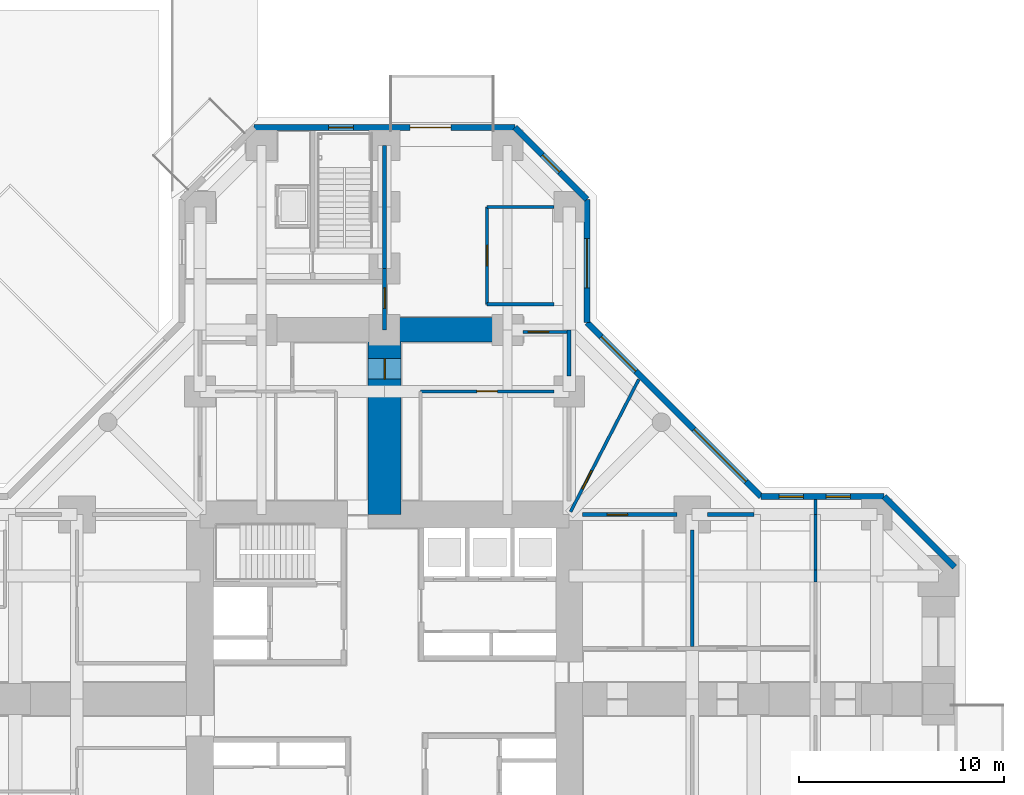
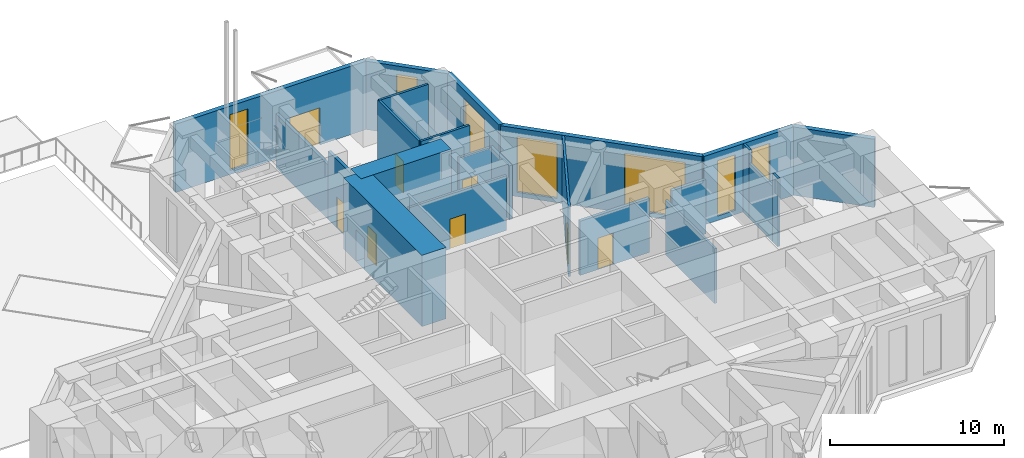
# One storey, part 10 of 14: 23 walls, 8 doors, 7 windows, 15 openings.
"""IFC4 building model written with IfcOpenShell, lengths in metres."""

from ifc_helpers import new_model, si_unit, direction, frame, frame_2d, origin, place, context, subcontext, project, spatial, rectangle, hollow_rectangle, extrude, material, layer, layer_set, constituent, constituent_set, type_object, element, fill, save


model = new_model("IFC4")

# Units and contexts
model_context = context("Model", 3, precision=1e-05, world=origin(), true_north=direction((0.0, 1.0)))
body_context = subcontext(model_context, "Body", "Model", "MODEL_VIEW")
ifc_project = project(units=[si_unit("LENGTHUNIT", "METRE"), si_unit("AREAUNIT", "SQUARE_METRE"), si_unit("VOLUMEUNIT", "CUBIC_METRE"), si_unit("PLANEANGLEUNIT", "RADIAN"), si_unit("MASSUNIT", "GRAM", prefix="KILO")], contexts=[model_context])

# Site, building, storey
site_placement = place(None, origin())
site = spatial("IfcSite", under=ifc_project, at=site_placement, CompositionType="ELEMENT")
building_placement = place(site_placement, origin())
building = spatial("IfcBuilding", under=site, at=building_placement, Name="Torre Cruceta", CompositionType="ELEMENT")
storey_placement = place(building_placement, origin())
storey = spatial("IfcBuildingStorey", under=building, at=storey_placement, Name="L00", CompositionType="ELEMENT", Elevation=0.0)

# Wall, opening, door
ifc_material_1 = material(Name="Concrete G25 (fck 25 MPa)", Category="concrete")
ifc_layer_1 = layer(ifc_material_1, 0.199951171875)
ifc_layer_set_1 = layer_set([ifc_layer_1], Name="Concrete G25 (fck 25 MPa)")
wall_type_1 = type_object("IfcWallType", Name="CORRIDOR WALL 200", PredefinedType="SOLIDWALL", material=ifc_layer_set_1)
wall_1_placement = place(storey_placement, frame((0.0, 18.0, 0.0), z_axis=(0.0, 0.0, 1.0), x_axis=(0.0, 1.0, 0.0)))
wall_1 = element("IfcWall", 1, at=wall_1_placement, inside=storey, type_object=wall_type_1, Name="PT3 spine line L00 N", PredefinedType="SOLIDWALL", context=body_context, shape_type="SweptSolid", body=[
    extrude(rectangle(XDim=3.0, YDim=0.199951171875, at=frame_2d((1.5, 0.0))), origin(), (0.0, 0.0, 1.0), 4.800048828125),
])
opening_1_placement = place(wall_1_placement, frame((1.050048828125, 0.0, 0.0)))
opening_1 = element("IfcOpeningElement", 2, at=opening_1_placement, cuts=wall_1, Name="Opening D14", PredefinedType="OPENING", context=body_context, shape_type="SweptSolid", body=[
    extrude(rectangle(XDim=1.0, YDim=2.199951171875, at=frame_2d((0.5, 1.10009765625))), frame((0.0, 0.10986328125, 0.0), z_axis=(0.0, -1.0, 0.0), x_axis=(1.0, 0.0, 0.0)), (0.0, 0.0, 1.0), 0.219970703125),
])
ifc_material_2 = material(Name="Steel DX51D", Category="steel")
ifc_constituent_1 = constituent(ifc_material_2, Name="Leaf and frame")
ifc_material_3 = material(Name="Polyester powder coating", Category="paint")
ifc_constituent_2 = constituent(ifc_material_3, Name="Finish")
ifc_material_4 = material(Name="Fire-resisting glass", Category="glass")
ifc_constituent_3 = constituent(ifc_material_4, Name="Vision panel")
ifc_constituent_set_1 = constituent_set(constituents=[ifc_constituent_1, ifc_constituent_2, ifc_constituent_3], Name="Steel fire door with vision panel")
door_type_1 = type_object("IfcDoorType", Name="FIRE DOOR VISION PANEL 1000X2200", OperationType="SINGLE_SWING_RIGHT", PredefinedType="DOOR", material=ifc_constituent_set_1)
door_1_placement = place(opening_1_placement, origin())
door_1 = element("IfcDoor", 3, at=door_1_placement, inside=storey, type_object=door_type_1, Name="D14 L00-N-SP2", OperationType="SINGLE_SWING_RIGHT", OverallHeight=2.199951171875, OverallWidth=1.0, PredefinedType="DOOR", context=body_context, shape_type="SweptSolid", body=[
    extrude(rectangle(XDim=1.0, YDim=2.199951171875, at=frame_2d((0.5, 1.10009765625))), frame((0.0, 0.02490234375, 0.0), z_axis=(0.0, -1.0, 0.0), x_axis=(1.0, 0.0, 0.0)), (0.0, 0.0, 1.0), 0.050048828125),
])
fill(opening_1, door_1)

# Walls
wall_2_placement = place(storey_placement, frame((0.0, 21.0, 0.0), z_axis=(0.0, 0.0, 1.0), x_axis=(0.0, 1.0, 0.0)))
element("IfcWall", 4, at=wall_2_placement, inside=storey, type_object=wall_type_1, Name="PT3 spine line L00 N 2", PredefinedType="SOLIDWALL", context=body_context, shape_type="SweptSolid", body=[
    extrude(rectangle(XDim=6.0, YDim=0.199951171875, at=frame_2d((3.0, 0.0))), origin(), (0.0, 0.0, 1.0), 3.800048828125),
])
ifc_material_5 = material(Name="Concrete G60 (fck 60 MPa)", Category="concrete")
ifc_layer_2 = layer(ifc_material_5, 1.199951171875)
ifc_layer_set_2 = layer_set([ifc_layer_2], Name="Concrete G60 (fck 60 MPa)")
wall_type_2 = type_object("IfcWallType", Name="CROSS WALL 1200 G60", PredefinedType="SHEAR", material=ifc_layer_set_2)
wall_3_placement = place(storey_placement, frame((0.0, 18.0, 0.0), z_axis=(0.0, 0.0, 1.0), x_axis=(1.0, 0.0, 0.0)))
element("IfcWall", 5, at=wall_3_placement, inside=storey, type_object=wall_type_2, Name="XW1 cross wall L00 N R", PredefinedType="SHEAR", context=body_context, shape_type="SweptSolid", body=[
    extrude(rectangle(XDim=6.0, YDim=1.199951171875, at=frame_2d((3.0, 0.0))), origin(), (0.0, 0.0, 1.0), 5.0),
])
ifc_material_6 = material(Name="Concrete G30 (fck 30 MPa)", Category="concrete")
ifc_layer_3 = layer(ifc_material_6, 0.300048828125)
ifc_layer_set_3 = layer_set([ifc_layer_3], Name="Concrete G30 (fck 30 MPa)")
wall_type_3 = type_object("IfcWallType", Name="EXPOSED CONCRETE FACADE WALL 300", PredefinedType="SOLIDWALL", material=ifc_layer_set_3)
wall_4_placement = place(storey_placement, frame((27.800048828125, 6.430419921875, 0.0), z_axis=(0.0, 0.0, 1.0), x_axis=(-0.707106781187, 0.707106781187, 0.0)))
element("IfcWall", 6, at=wall_4_placement, inside=storey, type_object=wall_type_3, Name="EW1 facade wall L00 E chamfer 03", PredefinedType="SOLIDWALL", context=body_context, shape_type="SweptSolid", body=[
    extrude(rectangle(XDim=4.864501953125, YDim=0.300048828125, at=frame_2d((2.43212890625, 0.0))), origin(), (0.0, 0.0, 1.0), 4.800048828125),
])

# Wall, openings, windows
wall_5_placement = place(storey_placement, frame((24.3603515625, 9.8701171875, 0.0), z_axis=(0.0, 0.0, 1.0), x_axis=(-1.0, 0.0, 0.0)))
wall_5 = element("IfcWall", 7, at=wall_5_placement, inside=storey, type_object=wall_type_3, Name="EW1 facade wall L00 E side 04", PredefinedType="SOLIDWALL", context=body_context, shape_type="SweptSolid", body=[
    extrude(rectangle(XDim=6.0, YDim=0.300048828125, at=frame_2d((3.0, 0.0))), origin(), (0.0, 0.0, 1.0), 4.800048828125),
])
opening_2_placement = place(wall_5_placement, frame((1.635498046875, 0.0, 0.300048828125)))
opening_2 = element("IfcOpeningElement", 8, at=opening_2_placement, cuts=wall_5, Name="Opening SF3", PredefinedType="OPENING", context=body_context, shape_type="SweptSolid", body=[
    extrude(rectangle(XDim=1.199951171875, YDim=3.89990234375, at=frame_2d((0.60009765625, 1.949951171875))), frame((0.0, 0.159912109375, 0.0), z_axis=(0.0, -1.0, 0.0), x_axis=(1.0, 0.0, 0.0)), (0.0, 0.0, 1.0), 0.320068359375),
])
opening_3_placement = place(wall_5_placement, frame((3.93017578125, 0.0, 0.300048828125)))
opening_3 = element("IfcOpeningElement", 9, at=opening_3_placement, cuts=wall_5, Name="Opening SF3", PredefinedType="OPENING", context=body_context, shape_type="SweptSolid", body=[
    extrude(rectangle(XDim=1.199951171875, YDim=3.89990234375, at=frame_2d((0.60009765625, 1.949951171875))), frame((0.0, 0.159912109375, 0.0), z_axis=(0.0, -1.0, 0.0), x_axis=(1.0, 0.0, 0.0)), (0.0, 0.0, 1.0), 0.320068359375),
])
ifc_material_7 = material(Name="Aluminium window frame", Category="aluminium")
ifc_constituent_4 = constituent(ifc_material_7, Name="Frame")
ifc_material_8 = material(Name="Laminated insulating glass unit, low-iron clear", Category="glass")
ifc_constituent_5 = constituent(ifc_material_8, Name="Glazing")
ifc_constituent_set_2 = constituent_set(constituents=[ifc_constituent_4, ifc_constituent_5], Name="Aluminium window")
window_type_1 = type_object("IfcWindowType", Name="SHOPFRONT WINDOW 1200X3900", PartitioningType="SINGLE_PANEL", PredefinedType="WINDOW", material=ifc_constituent_set_2)
window_1_placement = place(opening_2_placement, origin())
window_1 = element("IfcWindow", 10, at=window_1_placement, inside=storey, type_object=window_type_1, Name="SF3 L00 E 1", OverallHeight=3.89990234375, OverallWidth=1.199951171875, PartitioningType="SINGLE_PANEL", PredefinedType="WINDOW", context=body_context, shape_type="SweptSolid", body=[
    extrude(hollow_rectangle(XDim=1.199951171875, YDim=3.89990234375, WallThickness=0.06005859375, at=frame_2d((0.60009765625, 1.949951171875))), frame((0.0, 0.030029296875, 0.0), z_axis=(0.0, -1.0, 0.0), x_axis=(1.0, 0.0, 0.0)), (0.0, 0.0, 1.0), 0.06005859375),
    extrude(rectangle(XDim=1.078857421875, YDim=3.77880859375, at=frame_2d((0.60009765625, 1.949951171875))), frame((0.0, 0.030029296875, 0.0), z_axis=(0.0, -1.0, 0.0), x_axis=(1.0, 0.0, 0.0)), (0.0, 0.0, 1.0), 0.06005859375),
])
fill(opening_2, window_1)
window_2_placement = place(opening_3_placement, origin())
window_2 = element("IfcWindow", 11, at=window_2_placement, inside=storey, type_object=window_type_1, Name="SF3 L00 E 2", OverallHeight=3.89990234375, OverallWidth=1.199951171875, PartitioningType="SINGLE_PANEL", PredefinedType="WINDOW", context=body_context, shape_type="SweptSolid", body=[
    extrude(hollow_rectangle(XDim=1.199951171875, YDim=3.89990234375, WallThickness=0.06005859375, at=frame_2d((0.60009765625, 1.949951171875))), frame((0.0, 0.030029296875, 0.0), z_axis=(0.0, -1.0, 0.0), x_axis=(1.0, 0.0, 0.0)), (0.0, 0.0, 1.0), 0.06005859375),
    extrude(rectangle(XDim=1.078857421875, YDim=3.77880859375, at=frame_2d((0.60009765625, 1.949951171875))), frame((0.0, 0.030029296875, 0.0), z_axis=(0.0, -1.0, 0.0), x_axis=(1.0, 0.0, 0.0)), (0.0, 0.0, 1.0), 0.06005859375),
])
fill(opening_3, window_2)

wall_6_placement = place(storey_placement, frame((18.3603515625, 9.8701171875, 0.0), z_axis=(0.0, 0.0, 1.0), x_axis=(-0.707106781187, 0.707106781187, 0.0)))
wall_6 = element("IfcWall", 12, at=wall_6_placement, inside=storey, type_object=wall_type_3, Name="EW1 facade wall L00 E wing 05", PredefinedType="SOLIDWALL", context=body_context, shape_type="SweptSolid", body=[
    extrude(rectangle(XDim=12.007080078125, YDim=0.300048828125, at=frame_2d((6.00341796875, 0.0))), origin(), (0.0, 0.0, 1.0), 4.800048828125),
])
opening_4_placement = place(wall_6_placement, frame((1.03369140625, 0.0, 0.300048828125)))
opening_4 = element("IfcOpeningElement", 13, at=opening_4_placement, cuts=wall_6, Name="Opening SF1", PredefinedType="OPENING", context=body_context, shape_type="SweptSolid", body=[
    extrude(rectangle(XDim=3.60009765625, YDim=3.89990234375, at=frame_2d((1.800048828125, 1.949951171875))), frame((0.0, 0.159912109375, 0.0), z_axis=(0.0, -1.0, 0.0), x_axis=(1.0, 0.0, 0.0)), (0.0, 0.0, 1.0), 0.320068359375),
])
opening_5_placement = place(wall_6_placement, frame((8.63720703125, 0.0, 0.300048828125)))
opening_5 = element("IfcOpeningElement", 14, at=opening_5_placement, cuts=wall_6, Name="Opening SF2", PredefinedType="OPENING", context=body_context, shape_type="SweptSolid", body=[
    extrude(rectangle(XDim=2.39990234375, YDim=3.89990234375, at=frame_2d((1.199951171875, 1.949951171875))), frame((0.0, 0.159912109375, 0.0), z_axis=(0.0, -1.0, 0.0), x_axis=(1.0, 0.0, 0.0)), (0.0, 0.0, 1.0), 0.320068359375),
])
ifc_material_9 = material(Name="Aluminium window frame", Category="aluminium")
ifc_constituent_6 = constituent(ifc_material_9, Name="Frame")
ifc_material_10 = material(Name="Laminated insulating glass unit, low-iron clear", Category="glass")
ifc_constituent_7 = constituent(ifc_material_10, Name="Glazing")
ifc_constituent_set_3 = constituent_set(constituents=[ifc_constituent_6, ifc_constituent_7], Name="Aluminium window")
window_type_2 = type_object("IfcWindowType", Name="SHOPFRONT WINDOW 2400X3900", PartitioningType="SINGLE_PANEL", PredefinedType="WINDOW", material=ifc_constituent_set_3)
window_3_placement = place(opening_5_placement, origin())
window_3 = element("IfcWindow", 15, at=window_3_placement, inside=storey, type_object=window_type_2, Name="SF2 L00 E 2", OverallHeight=3.89990234375, OverallWidth=2.39990234375, PartitioningType="SINGLE_PANEL", PredefinedType="WINDOW", context=body_context, shape_type="SweptSolid", body=[
    extrude(hollow_rectangle(XDim=2.39990234375, YDim=3.89990234375, WallThickness=0.06005859375, at=frame_2d((1.199951171875, 1.949951171875))), frame((0.0, 0.030029296875, 0.0), z_axis=(0.0, -1.0, 0.0), x_axis=(1.0, 0.0, 0.0)), (0.0, 0.0, 1.0), 0.06005859375),
    extrude(rectangle(XDim=2.27880859375, YDim=3.77880859375, at=frame_2d((1.199951171875, 1.949951171875))), frame((0.0, 0.030029296875, 0.0), z_axis=(0.0, -1.0, 0.0), x_axis=(1.0, 0.0, 0.0)), (0.0, 0.0, 1.0), 0.06005859375),
])
fill(opening_5, window_3)
ifc_material_11 = material(Name="Aluminium window frame", Category="aluminium")
ifc_constituent_8 = constituent(ifc_material_11, Name="Frame")
ifc_material_12 = material(Name="Laminated insulating glass unit, low-iron clear", Category="glass")
ifc_constituent_9 = constituent(ifc_material_12, Name="Glazing")
ifc_constituent_set_4 = constituent_set(constituents=[ifc_constituent_8, ifc_constituent_9], Name="Aluminium window")
window_type_3 = type_object("IfcWindowType", Name="SHOPFRONT WINDOW 3600X3900", PartitioningType="SINGLE_PANEL", PredefinedType="WINDOW", material=ifc_constituent_set_4)
window_4_placement = place(opening_4_placement, origin())
window_4 = element("IfcWindow", 16, at=window_4_placement, inside=storey, type_object=window_type_3, Name="SF1 L00 E 1", OverallHeight=3.89990234375, OverallWidth=3.60009765625, PartitioningType="SINGLE_PANEL", PredefinedType="WINDOW", context=body_context, shape_type="SweptSolid", body=[
    extrude(hollow_rectangle(XDim=3.60009765625, YDim=3.89990234375, WallThickness=0.06005859375, at=frame_2d((1.800048828125, 1.949951171875))), frame((0.0, 0.030029296875, 0.0), z_axis=(0.0, -1.0, 0.0), x_axis=(1.0, 0.0, 0.0)), (0.0, 0.0, 1.0), 0.06005859375),
    extrude(rectangle(XDim=3.47900390625, YDim=3.77880859375, at=frame_2d((1.800048828125, 1.949951171875))), frame((0.0, 0.030029296875, 0.0), z_axis=(0.0, -1.0, 0.0), x_axis=(1.0, 0.0, 0.0)), (0.0, 0.0, 1.0), 0.06005859375),
])
fill(opening_4, window_4)

# Wall, opening, window
wall_7_placement = place(storey_placement, frame((9.8701171875, 18.3603515625, 0.0), z_axis=(0.0, 0.0, 1.0), x_axis=(0.0, 1.0, 0.0)))
wall_7 = element("IfcWall", 17, at=wall_7_placement, inside=storey, type_object=wall_type_3, Name="EW1 facade wall L00 N side 06", PredefinedType="SOLIDWALL", context=body_context, shape_type="SweptSolid", body=[
    extrude(rectangle(XDim=6.0, YDim=0.300048828125, at=frame_2d((3.0, 0.0))), origin(), (0.0, 0.0, 1.0), 4.800048828125),
])
opening_6_placement = place(wall_7_placement, frame((1.689697265625, 0.0, 0.300048828125)))
opening_6 = element("IfcOpeningElement", 18, at=opening_6_placement, cuts=wall_7, Name="Opening SF2", PredefinedType="OPENING", context=body_context, shape_type="SweptSolid", body=[
    extrude(rectangle(XDim=2.39990234375, YDim=3.89990234375, at=frame_2d((1.199951171875, 1.949951171875))), frame((0.0, 0.159912109375, 0.0), z_axis=(0.0, -1.0, 0.0), x_axis=(1.0, 0.0, 0.0)), (0.0, 0.0, 1.0), 0.320068359375),
])
window_5_placement = place(opening_6_placement, origin())
window_5 = element("IfcWindow", 19, at=window_5_placement, inside=storey, type_object=window_type_2, Name="SF2 L00 N 1", OverallHeight=3.89990234375, OverallWidth=2.39990234375, PartitioningType="SINGLE_PANEL", PredefinedType="WINDOW", context=body_context, shape_type="SweptSolid", body=[
    extrude(hollow_rectangle(XDim=2.39990234375, YDim=3.89990234375, WallThickness=0.06005859375, at=frame_2d((1.199951171875, 1.949951171875))), frame((0.0, 0.030029296875, 0.0), z_axis=(0.0, -1.0, 0.0), x_axis=(1.0, 0.0, 0.0)), (0.0, 0.0, 1.0), 0.06005859375),
    extrude(rectangle(XDim=2.27880859375, YDim=3.77880859375, at=frame_2d((1.199951171875, 1.949951171875))), frame((0.0, 0.030029296875, 0.0), z_axis=(0.0, -1.0, 0.0), x_axis=(1.0, 0.0, 0.0)), (0.0, 0.0, 1.0), 0.06005859375),
])
fill(opening_6, window_5)

wall_8_placement = place(storey_placement, frame((9.8701171875, 24.3603515625, 0.0), z_axis=(0.0, 0.0, 1.0), x_axis=(-0.707106781187, 0.707106781187, 0.0)))
wall_8 = element("IfcWall", 20, at=wall_8_placement, inside=storey, type_object=wall_type_3, Name="EW1 facade wall L00 N chamfer 07", PredefinedType="SOLIDWALL", context=body_context, shape_type="SweptSolid", body=[
    extrude(rectangle(XDim=4.963623046875, YDim=0.300048828125, at=frame_2d((2.48193359375, 0.0))), origin(), (0.0, 0.0, 1.0), 4.800048828125),
])
opening_7_placement = place(wall_8_placement, frame((1.881591796875, 0.0, 0.300048828125)))
opening_7 = element("IfcOpeningElement", 21, at=opening_7_placement, cuts=wall_8, Name="Opening SF3", PredefinedType="OPENING", context=body_context, shape_type="SweptSolid", body=[
    extrude(rectangle(XDim=1.199951171875, YDim=3.89990234375, at=frame_2d((0.60009765625, 1.949951171875))), frame((0.0, 0.159912109375, 0.0), z_axis=(0.0, -1.0, 0.0), x_axis=(1.0, 0.0, 0.0)), (0.0, 0.0, 1.0), 0.320068359375),
])
window_6_placement = place(opening_7_placement, origin())
window_6 = element("IfcWindow", 22, at=window_6_placement, inside=storey, type_object=window_type_1, Name="SF3 L00 N 1", OverallHeight=3.89990234375, OverallWidth=1.199951171875, PartitioningType="SINGLE_PANEL", PredefinedType="WINDOW", context=body_context, shape_type="SweptSolid", body=[
    extrude(hollow_rectangle(XDim=1.199951171875, YDim=3.89990234375, WallThickness=0.06005859375, at=frame_2d((0.60009765625, 1.949951171875))), frame((0.0, 0.030029296875, 0.0), z_axis=(0.0, -1.0, 0.0), x_axis=(1.0, 0.0, 0.0)), (0.0, 0.0, 1.0), 0.06005859375),
    extrude(rectangle(XDim=1.078857421875, YDim=3.77880859375, at=frame_2d((0.60009765625, 1.949951171875))), frame((0.0, 0.030029296875, 0.0), z_axis=(0.0, -1.0, 0.0), x_axis=(1.0, 0.0, 0.0)), (0.0, 0.0, 1.0), 0.06005859375),
])
fill(opening_7, window_6)

# Wall, openings, door, window
wall_9_placement = place(storey_placement, frame((6.3603515625, 27.8701171875, 0.0), z_axis=(0.0, 0.0, 1.0), x_axis=(-1.0, 0.0, 0.0)))
wall_9 = element("IfcWall", 23, at=wall_9_placement, inside=storey, type_object=wall_type_3, Name="EW1 facade wall L00 N tip 08", PredefinedType="SOLIDWALL", context=body_context, shape_type="SweptSolid", body=[
    extrude(rectangle(XDim=12.720703125, YDim=0.300048828125, at=frame_2d((6.3603515625, 0.0))), origin(), (0.0, 0.0, 1.0), 4.800048828125),
])
opening_8_placement = place(wall_9_placement, frame((3.1103515625, 0.0, 0.0)))
opening_8 = element("IfcOpeningElement", 24, at=opening_8_placement, cuts=wall_9, Name="Opening D9", PredefinedType="OPENING", context=body_context, shape_type="SweptSolid", body=[
    extrude(rectangle(XDim=2.0, YDim=2.60009765625, at=frame_2d((1.0, 1.300048828125))), frame((0.0, 0.159912109375, 0.0), z_axis=(0.0, -1.0, 0.0), x_axis=(1.0, 0.0, 0.0)), (0.0, 0.0, 1.0), 0.320068359375),
])
opening_9_placement = place(wall_9_placement, frame((7.885498046875, 0.0, 0.300048828125)))
opening_9 = element("IfcOpeningElement", 25, at=opening_9_placement, cuts=wall_9, Name="Opening SF3", PredefinedType="OPENING", context=body_context, shape_type="SweptSolid", body=[
    extrude(rectangle(XDim=1.199951171875, YDim=3.89990234375, at=frame_2d((0.60009765625, 1.949951171875))), frame((0.0, 0.159912109375, 0.0), z_axis=(0.0, -1.0, 0.0), x_axis=(1.0, 0.0, 0.0)), (0.0, 0.0, 1.0), 0.320068359375),
])
ifc_material_13 = material(Name="Aluminium door frame", Category="aluminium")
ifc_constituent_10 = constituent(ifc_material_13, Name="Frame")
ifc_material_14 = material(Name="Laminated safety glass", Category="glass")
ifc_constituent_11 = constituent(ifc_material_14, Name="Glazing")
ifc_constituent_set_5 = constituent_set(constituents=[ifc_constituent_10, ifc_constituent_11], Name="Aluminium glazed door")
door_type_2 = type_object("IfcDoorType", Name="ENTRANCE DOUBLE DOOR 2000X2600", OperationType="DOUBLE_DOOR_DOUBLE_SWING", PredefinedType="DOOR", material=ifc_constituent_set_5)
door_2_placement = place(opening_8_placement, origin())
door_2 = element("IfcDoor", 26, at=door_2_placement, inside=storey, type_object=door_type_2, Name="D9 entrance double door L00 N", OperationType="DOUBLE_DOOR_DOUBLE_SWING", OverallHeight=2.60009765625, OverallWidth=2.0, PredefinedType="DOOR", context=body_context, shape_type="SweptSolid", body=[
    extrude(hollow_rectangle(XDim=2.0, YDim=2.60009765625, WallThickness=0.06005859375, at=frame_2d((1.0, 1.300048828125))), frame((0.0, 0.02490234375, 0.0), z_axis=(0.0, -1.0, 0.0), x_axis=(1.0, 0.0, 0.0)), (0.0, 0.0, 1.0), 0.050048828125),
    extrude(rectangle(XDim=1.87890625, YDim=2.47900390625, at=frame_2d((1.0, 1.300048828125))), frame((0.0, 0.02490234375, 0.0), z_axis=(0.0, -1.0, 0.0), x_axis=(1.0, 0.0, 0.0)), (0.0, 0.0, 1.0), 0.050048828125),
])
fill(opening_8, door_2)
window_7_placement = place(opening_9_placement, origin())
window_7 = element("IfcWindow", 27, at=window_7_placement, inside=storey, type_object=window_type_1, Name="SF3 L00 N 1", OverallHeight=3.89990234375, OverallWidth=1.199951171875, PartitioningType="SINGLE_PANEL", PredefinedType="WINDOW", context=body_context, shape_type="SweptSolid", body=[
    extrude(hollow_rectangle(XDim=1.199951171875, YDim=3.89990234375, WallThickness=0.06005859375, at=frame_2d((0.60009765625, 1.949951171875))), frame((0.0, 0.030029296875, 0.0), z_axis=(0.0, -1.0, 0.0), x_axis=(1.0, 0.0, 0.0)), (0.0, 0.0, 1.0), 0.06005859375),
    extrude(rectangle(XDim=1.078857421875, YDim=3.77880859375, at=frame_2d((0.60009765625, 1.949951171875))), frame((0.0, 0.030029296875, 0.0), z_axis=(0.0, -1.0, 0.0), x_axis=(1.0, 0.0, 0.0)), (0.0, 0.0, 1.0), 0.06005859375),
])
fill(opening_9, window_7)

# Wall, opening, door
ifc_material_15 = material(Name="Plasterboard on steel studs", Category="steel")
ifc_layer_4 = layer(ifc_material_15, 0.14990234375)
ifc_layer_set_4 = layer_set([ifc_layer_4], Name="Plasterboard on steel studs")
wall_type_4 = type_object("IfcWallType", Name="PARTITION 150", PredefinedType="PARTITIONING", material=ifc_layer_set_4)
wall_10_placement = place(storey_placement, frame((8.25, 15.0, 0.0), z_axis=(0.0, 0.0, 1.0), x_axis=(-1.0, 0.0, 0.0)))
wall_10 = element("IfcWall", 28, at=wall_10_placement, inside=storey, type_object=wall_type_4, Name="PT1 L00-N-BFR", PredefinedType="PARTITIONING", context=body_context, shape_type="SweptSolid", body=[
    extrude(rectangle(XDim=6.5, YDim=0.14990234375, at=frame_2d((3.25, 0.0))), origin(), (0.0, 0.0, 1.0), 3.85009765625),
])
opening_10_placement = place(wall_10_placement, frame((2.75, 0.0, 0.0)))
opening_10 = element("IfcOpeningElement", 29, at=opening_10_placement, cuts=wall_10, Name="Opening D3", PredefinedType="OPENING", context=body_context, shape_type="SweptSolid", body=[
    extrude(rectangle(XDim=1.0, YDim=2.10009765625, at=frame_2d((0.5, 1.050048828125))), frame((0.0, 0.0849609375, 0.0), z_axis=(0.0, -1.0, 0.0), x_axis=(1.0, 0.0, 0.0)), (0.0, 0.0, 1.0), 0.169921875),
])
ifc_material_16 = material(Name="Steel DX51D", Category="steel")
ifc_constituent_12 = constituent(ifc_material_16, Name="Leaf and frame")
ifc_material_17 = material(Name="Polyester powder coating", Category="paint")
ifc_constituent_13 = constituent(ifc_material_17, Name="Finish")
ifc_constituent_set_6 = constituent_set(constituents=[ifc_constituent_12, ifc_constituent_13], Name="Steel fire door")
door_type_3 = type_object("IfcDoorType", Name="FIRE DOOR 1000X2100", OperationType="SINGLE_SWING_LEFT", PredefinedType="DOOR", material=ifc_constituent_set_6)
door_3_placement = place(opening_10_placement, origin())
door_3 = element("IfcDoor", 30, at=door_3_placement, inside=storey, type_object=door_type_3, Name="D3 L00-N-BFR-D1", OperationType="SINGLE_SWING_RIGHT", OverallHeight=2.10009765625, OverallWidth=1.0, PredefinedType="DOOR", context=body_context, shape_type="SweptSolid", body=[
    extrude(rectangle(XDim=1.0, YDim=2.10009765625, at=frame_2d((0.5, 1.050048828125))), frame((0.0, 0.02490234375, 0.0), z_axis=(0.0, -1.0, 0.0), x_axis=(1.0, 0.0, 0.0)), (0.0, 0.0, 1.0), 0.050048828125),
])
fill(opening_10, door_3)

wall_11_placement = place(storey_placement, frame((5.0, 19.25, 0.0), z_axis=(0.0, 0.0, 1.0), x_axis=(0.0, 1.0, 0.0)))
wall_11 = element("IfcWall", 31, at=wall_11_placement, inside=storey, type_object=wall_type_4, Name="PT1 L00-N-CAFEW", PredefinedType="PARTITIONING", context=body_context, shape_type="SweptSolid", body=[
    extrude(rectangle(XDim=4.75, YDim=0.14990234375, at=frame_2d((2.375, 0.0))), origin(), (0.0, 0.0, 1.0), 4.800048828125),
])
opening_11_placement = place(wall_11_placement, frame((1.875, 0.0, 0.0)))
opening_11 = element("IfcOpeningElement", 32, at=opening_11_placement, cuts=wall_11, Name="Opening D14", PredefinedType="OPENING", context=body_context, shape_type="SweptSolid", body=[
    extrude(rectangle(XDim=1.0, YDim=2.199951171875, at=frame_2d((0.5, 1.10009765625))), frame((0.0, 0.0849609375, 0.0), z_axis=(0.0, -1.0, 0.0), x_axis=(1.0, 0.0, 0.0)), (0.0, 0.0, 1.0), 0.169921875),
])
door_4_placement = place(opening_11_placement, frame((1.0, 0.0, 0.0), z_axis=(0.0, 0.0, 1.0), x_axis=(-1.0, 0.0, 0.0)))
door_4 = element("IfcDoor", 33, at=door_4_placement, inside=storey, type_object=door_type_1, Name="D14 L00-N-CAFEW-D1", OperationType="SINGLE_SWING_RIGHT", OverallHeight=2.199951171875, OverallWidth=1.0, PredefinedType="DOOR", context=body_context, shape_type="SweptSolid", body=[
    extrude(rectangle(XDim=1.0, YDim=2.199951171875, at=frame_2d((0.5, 1.10009765625))), frame((0.0, 0.025146484375, 0.0), z_axis=(0.0, -1.0, 0.0), x_axis=(1.0, 0.0, 0.0)), (0.0, 0.0, 1.0), 0.050048828125),
])
fill(opening_11, door_4)

# Walls
for number, where, z_axis, x_axis, name in (
    (34, (8.25, 19.25, 0.0), (0.0, 0.0, 1.0), (-1.0, 0.0, 0.0), "PT1 L00-N-CAFEA"),
    (35, (8.25, 24.0, 0.0), (0.0, 0.0, 1.0), (-1.0, 0.0, 0.0), "PT1 L00-N-CAFEB"),
):
    element("IfcWall", number, at=place(storey_placement, frame(where, z_axis=z_axis, x_axis=x_axis)), inside=storey, type_object=wall_type_4, Name=name, PredefinedType="PARTITIONING", context=body_context, shape_type="SweptSolid", body=[
        extrude(rectangle(XDim=3.25, YDim=0.14990234375, at=frame_2d((1.625, 0.0))), origin(), (0.0, 0.0, 1.0), 4.800048828125),
    ])

# Wall, opening, door
wall_12_placement = place(storey_placement, frame((6.75, 17.89990234375, 0.0), z_axis=(0.0, 0.0, 1.0), x_axis=(1.0, 0.0, 0.0)))
wall_12 = element("IfcWall", 36, at=wall_12_placement, inside=storey, type_object=wall_type_4, Name="PT1 L00-N-RXE", PredefinedType="PARTITIONING", context=body_context, shape_type="SweptSolid", body=[
    extrude(rectangle(XDim=2.14990234375, YDim=0.14990234375, at=frame_2d((1.074951171875, 0.0))), origin(), (0.0, 0.0, 1.0), 3.85009765625),
])
opening_12_placement = place(wall_12_placement, frame((0.25, 0.0, 0.0)))
opening_12 = element("IfcOpeningElement", 37, at=opening_12_placement, cuts=wall_12, Name="Opening D14", PredefinedType="OPENING", context=body_context, shape_type="SweptSolid", body=[
    extrude(rectangle(XDim=1.0, YDim=2.199951171875, at=frame_2d((0.5, 1.10009765625))), frame((0.0, 0.0849609375, 0.0), z_axis=(0.0, -1.0, 0.0), x_axis=(1.0, 0.0, 0.0)), (0.0, 0.0, 1.0), 0.169921875),
])
door_5_placement = place(opening_12_placement, origin())
door_5 = element("IfcDoor", 38, at=door_5_placement, inside=storey, type_object=door_type_1, Name="D14 L00-N-RXE-D1", OperationType="SINGLE_SWING_LEFT", OverallHeight=2.199951171875, OverallWidth=1.0, PredefinedType="DOOR", context=body_context, shape_type="SweptSolid", body=[
    extrude(rectangle(XDim=1.0, YDim=2.199951171875, at=frame_2d((0.5, 1.10009765625))), frame((0.0, 0.02490234375, 0.0), z_axis=(0.0, -1.0, 0.0), x_axis=(1.0, 0.0, 0.0)), (0.0, 0.0, 1.0), 0.050048828125),
])
fill(opening_12, door_5)

# Walls
wall_13_placement = place(storey_placement, frame((15.0, 2.574951171875, 0.0), z_axis=(0.0, 0.0, 1.0), x_axis=(0.0, 1.0, 0.0)))
element("IfcWall", 39, at=wall_13_placement, inside=storey, type_object=wall_type_4, Name="PT1 L00-E-P1L", PredefinedType="PARTITIONING", context=body_context, shape_type="SweptSolid", body=[
    extrude(rectangle(XDim=5.675048828125, YDim=0.14990234375, at=frame_2d((2.83740234375, 0.0))), origin(), (0.0, 0.0, 1.0), 3.85009765625),
])
wall_14_placement = place(storey_placement, frame((21.0, 5.699951171875, 0.0), z_axis=(0.0, 0.0, 1.0), x_axis=(0.0, 1.0, 0.0)))
element("IfcWall", 40, at=wall_14_placement, inside=storey, type_object=wall_type_4, Name="PT1 L00-E-ENDb 2", PredefinedType="PARTITIONING", context=body_context, shape_type="SweptSolid", body=[
    extrude(rectangle(XDim=0.60009765625, YDim=0.14990234375, at=frame_2d((0.300048828125, 0.0))), origin(), (0.0, 0.0, 1.0), 4.800048828125),
])
wall_15_placement = place(storey_placement, frame((21.0, 6.300048828125, 0.0), z_axis=(0.0, 0.0, 1.0), x_axis=(0.0, 1.0, 0.0)))
element("IfcWall", 41, at=wall_15_placement, inside=storey, type_object=wall_type_4, Name="PT1 L00-E-ENDb 3", PredefinedType="PARTITIONING", context=body_context, shape_type="SweptSolid", body=[
    extrude(rectangle(XDim=2.699951171875, YDim=0.14990234375, at=frame_2d((1.35009765625, 0.0))), origin(), (0.0, 0.0, 1.0), 3.85009765625),
])
wall_16_placement = place(storey_placement, frame((21.0, 9.0, 0.0), z_axis=(0.0, 0.0, 1.0), x_axis=(0.0, 1.0, 0.0)))
element("IfcWall", 42, at=wall_16_placement, inside=storey, type_object=wall_type_4, Name="PT1 L00-E-ENDb 4", PredefinedType="PARTITIONING", context=body_context, shape_type="SweptSolid", body=[
    extrude(rectangle(XDim=0.719970703125, YDim=0.14990234375, at=frame_2d((0.35986328125, 0.0))), origin(), (0.0, 0.0, 1.0), 4.800048828125),
])

# Wall, opening, door
wall_17_placement = place(storey_placement, frame((9.066650390625, 9.12939453125, 0.0), z_axis=(0.0, 0.0, 1.0), x_axis=(0.457956589674, 0.888974556427, 0.0)))
wall_17 = element("IfcWall", 43, at=wall_17_placement, inside=storey, type_object=wall_type_4, Name="PT1 L00-WING-E-X", PredefinedType="PARTITIONING", context=body_context, shape_type="SweptSolid", body=[
    extrude(rectangle(XDim=7.268310546875, YDim=0.14990234375, at=frame_2d((3.63427734375, 0.0))), origin(), (0.0, 0.0, 1.0), 4.800048828125),
])
opening_13_placement = place(wall_17_placement, frame((1.25439453125, 0.0, 0.0)))
opening_13 = element("IfcOpeningElement", 44, at=opening_13_placement, cuts=wall_17, Name="Opening D14", PredefinedType="OPENING", context=body_context, shape_type="SweptSolid", body=[
    extrude(rectangle(XDim=1.0, YDim=2.199951171875, at=frame_2d((0.5, 1.10009765625))), frame((0.0, 0.0849609375, 0.0), z_axis=(0.0, -1.0, 0.0), x_axis=(1.0, 0.0, 0.0)), (0.0, 0.0, 1.0), 0.169921875),
])
door_6_placement = place(opening_13_placement, origin())
door_6 = element("IfcDoor", 45, at=door_6_placement, inside=storey, type_object=door_type_1, Name="D14 L00-WING-E-X-D1", OperationType="SINGLE_SWING_LEFT", OverallHeight=2.199951171875, OverallWidth=1.0, PredefinedType="DOOR", context=body_context, shape_type="SweptSolid", body=[
    extrude(rectangle(XDim=1.0, YDim=2.199951171875, at=frame_2d((0.5, 1.10009765625))), frame((0.0, 0.02490234375, 0.0), z_axis=(0.0, -1.0, 0.0), x_axis=(1.0, 0.0, 0.0)), (0.0, 0.0, 1.0), 0.050048828125),
])
fill(opening_13, door_6)

ifc_material_18 = material(Name="Concrete G60 (fck 60 MPa)", Category="concrete")
ifc_layer_5 = layer(ifc_material_18, 1.60009765625)
ifc_layer_set_5 = layer_set([ifc_layer_5], Name="Concrete G60 (fck 60 MPa)")
wall_type_5 = type_object("IfcWallType", Name="SPINE WALL 1600 G60", PredefinedType="SHEAR", material=ifc_layer_set_5)
wall_18_placement = place(storey_placement, frame((0.0, 9.0, 0.0), z_axis=(0.0, 0.0, 1.0), x_axis=(0.0, 1.0, 0.0)))
wall_18 = element("IfcWall", 46, at=wall_18_placement, inside=storey, type_object=wall_type_5, Name="SW2 spine wall L00 N", PredefinedType="SHEAR", context=body_context, shape_type="SweptSolid", body=[
    extrude(rectangle(XDim=9.0, YDim=1.60009765625, at=frame_2d((4.5, 0.0))), origin(), (0.0, 0.0, 1.0), 5.0),
])
opening_14_placement = place(wall_18_placement, frame((6.60009765625, 0.0, 0.0)))
opening_14 = element("IfcOpeningElement", 47, at=opening_14_placement, cuts=wall_18, Name="Opening D14", PredefinedType="OPENING", context=body_context, shape_type="SweptSolid", body=[
    extrude(rectangle(XDim=1.0, YDim=2.199951171875, at=frame_2d((0.5, 1.10009765625))), frame((0.0, 0.81005859375, 0.0), z_axis=(0.0, -1.0, 0.0), x_axis=(1.0, 0.0, 0.0)), (0.0, 0.0, 1.0), 1.6201171875),
])
door_7_placement = place(opening_14_placement, origin())
door_7 = element("IfcDoor", 48, at=door_7_placement, inside=storey, type_object=door_type_1, Name="D14 L00-N-SP1", OperationType="SINGLE_SWING_RIGHT", OverallHeight=2.199951171875, OverallWidth=1.0, PredefinedType="DOOR", context=body_context, shape_type="SweptSolid", body=[
    extrude(rectangle(XDim=1.0, YDim=2.199951171875, at=frame_2d((0.5, 1.10009765625))), frame((0.0, 0.02490234375, 0.0), z_axis=(0.0, -1.0, 0.0), x_axis=(1.0, 0.0, 0.0)), (0.0, 0.0, 1.0), 0.050048828125),
])
fill(opening_14, door_7)

ifc_material_19 = material(Name="Concrete G25 (fck 25 MPa)", Category="concrete")
ifc_layer_6 = layer(ifc_material_19, 0.199951171875)
ifc_layer_set_6 = layer_set([ifc_layer_6], Name="Concrete G25 (fck 25 MPa)")
wall_type_6 = type_object("IfcWallType", Name="WING SEPARATING WALL 200", PredefinedType="SOLIDWALL", material=ifc_layer_set_6)
wall_19_placement = place(storey_placement, frame((9.64990234375, 9.0, 0.0), z_axis=(0.0, 0.0, 1.0), x_axis=(1.0, 0.0, 0.0)))
wall_19 = element("IfcWall", 49, at=wall_19_placement, inside=storey, type_object=wall_type_6, Name="PT6 L00-WING-E-A1", PredefinedType="SOLIDWALL", context=body_context, shape_type="SweptSolid", body=[
    extrude(rectangle(XDim=4.60009765625, YDim=0.199951171875, at=frame_2d((2.300048828125, 0.0))), origin(), (0.0, 0.0, 1.0), 3.800048828125),
])
opening_15_placement = place(wall_19_placement, frame((1.199951171875, 0.0, 0.0)))
opening_15 = element("IfcOpeningElement", 50, at=opening_15_placement, cuts=wall_19, Name="Opening D14", PredefinedType="OPENING", context=body_context, shape_type="SweptSolid", body=[
    extrude(rectangle(XDim=1.0, YDim=2.199951171875, at=frame_2d((0.5, 1.10009765625))), frame((0.0, 0.10986328125, 0.0), z_axis=(0.0, -1.0, 0.0), x_axis=(1.0, 0.0, 0.0)), (0.0, 0.0, 1.0), 0.219970703125),
])
door_8_placement = place(opening_15_placement, frame((1.0, 0.0, 0.0), z_axis=(0.0, 0.0, 1.0), x_axis=(-1.0, 0.0, 0.0)))
door_8 = element("IfcDoor", 51, at=door_8_placement, inside=storey, type_object=door_type_1, Name="D14 L00-WING-E-A1-D1", OperationType="SINGLE_SWING_RIGHT", OverallHeight=2.199951171875, OverallWidth=1.0, PredefinedType="DOOR", context=body_context, shape_type="SweptSolid", body=[
    extrude(rectangle(XDim=1.0, YDim=2.199951171875, at=frame_2d((0.5, 1.10009765625))), frame((0.0, 0.025146484375, 0.0), z_axis=(0.0, -1.0, 0.0), x_axis=(1.0, 0.0, 0.0)), (0.0, 0.0, 1.0), 0.050048828125),
])
fill(opening_15, door_8)

# Walls
for number, where, z_axis, x_axis, name in (
    (52, (15.75, 9.0, 0.0), (0.0, 0.0, 1.0), (1.0, 0.0, 0.0), "PT6 L00-WING-E-A2"),
    (53, (9.0, 18.0, 0.0), (0.0, 0.0, 1.0), (0.0, -1.0, 0.0), "PT6 L00-WING-E-B2"),
):
    element("IfcWall", number, at=place(storey_placement, frame(where, z_axis=z_axis, x_axis=x_axis)), inside=storey, type_object=wall_type_6, Name=name, PredefinedType="SOLIDWALL", context=body_context, shape_type="SweptSolid", body=[
        extrude(rectangle(XDim=2.25, YDim=0.199951171875, at=frame_2d((1.125, 0.0))), origin(), (0.0, 0.0, 1.0), 3.800048828125),
    ])

save(model, "model.ifc")
